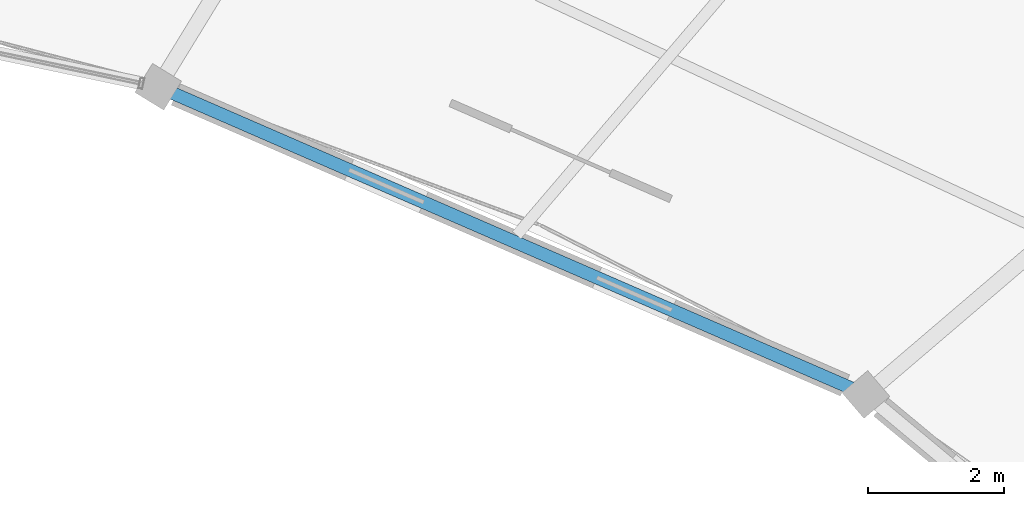
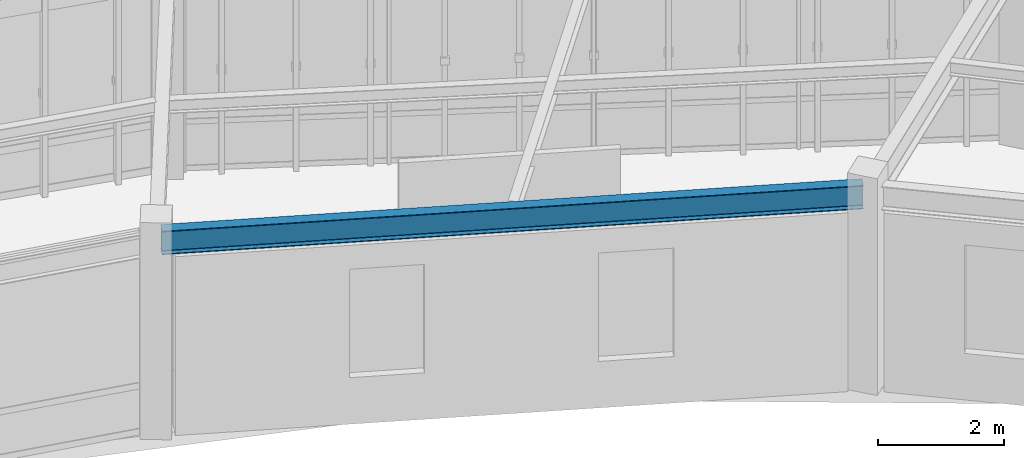
# One storey, part 53 of 78: 1 beam.
"""IFC4 building model written with IfcOpenShell, lengths in metres."""

import ifcopenshell
import ifcopenshell.guid

model = None  # the IFC model being written
_history = None  # IfcOwnerHistory: only IFC2X3 demands one
_inside = {}  # id of a spatial element -> (the spatial element, [elements in it])
_under = {}  # id of a project, library or spatial element -> (it, [spatial elements below it])
_declared = {}  # id of a project -> (the project, [libraries it declares])
_typed = {}  # id of a type object -> (the type object, [elements of that type])
_made_of = {}  # id of a material, layer set ... -> (it, [elements and type objects made of it])


def new_model(schema):
    """Start an empty IFC model of exactly this schema.

    Asked for "IFC4X3", IfcOpenShell would pick the latest addendum, in which some entities
    have other attributes; the version numbers below select the first issue.
    IFC2X3 requires an IfcOwnerHistory on every rooted entity: one is made here for all.
    """
    global model, _history
    if schema == "IFC4X3":
        model = ifcopenshell.file(schema_version=(4, 3, 0, 0))
    else:
        model = ifcopenshell.file(schema=schema)
    _inside.clear()
    _under.clear()
    _declared.clear()
    _typed.clear()
    _made_of.clear()
    _history = None
    if model.schema == "IFC2X3":
        org = make("IfcOrganization", Name="unknown")
        user = make(
            "IfcPersonAndOrganization",
            ThePerson=make("IfcPerson", FamilyName="unknown"),
            TheOrganization=org,
        )
        app = make(
            "IfcApplication",
            ApplicationDeveloper=org,
            Version="unknown",
            ApplicationFullName="unknown",
            ApplicationIdentifier="unknown",
        )
        _history = make(
            "IfcOwnerHistory",
            OwningUser=user,
            OwningApplication=app,
            ChangeAction="ADDED",
            CreationDate=0,
        )
    return model


def make(cls, **values):
    """One entity of the class cls with the attributes given. An attribute that is None is left unset."""
    return model.create_entity(
        cls, **{name: value for name, value in values.items() if value is not None}
    )


def rooted(cls, **values):
    """An entity with a GlobalId (a new one), such as an element, a storey or a relation."""
    return make(cls, GlobalId=ifcopenshell.guid.new(), OwnerHistory=_history, **values)


def si_unit(unit_type, name, prefix=None):
    """IfcSIUnit, for example si_unit("LENGTHUNIT", "METRE", prefix="MILLI")."""
    return make("IfcSIUnit", UnitType=unit_type, Prefix=prefix, Name=name)


def assignment(units):
    """IfcUnitAssignment: the units of a project."""
    return None if units is None else make("IfcUnitAssignment", Units=units)


def point(xyz):
    """IfcCartesianPoint."""
    return None if xyz is None else make("IfcCartesianPoint", Coordinates=xyz)


def direction(xyz):
    """IfcDirection."""
    return None if xyz is None else make("IfcDirection", DirectionRatios=xyz)


def frame(location, z_axis=None, x_axis=None):
    """IfcAxis2Placement3D, a coordinate frame: its origin and axes. An axis left out is left unset."""
    return make(
        "IfcAxis2Placement3D",
        Location=point(location),
        Axis=direction(z_axis),
        RefDirection=direction(x_axis),
    )


def frame_2d(location, x_axis=None):
    """IfcAxis2Placement2D, a coordinate frame in the plane: its origin and x axis."""
    return make(
        "IfcAxis2Placement2D", Location=point(location), RefDirection=direction(x_axis)
    )


def origin():
    """The frame at (0, 0, 0) with its axes left unset."""
    return frame((0.0, 0.0, 0.0))


def origin_2d():
    """The frame at (0, 0) in the plane with its x axis left unset."""
    return frame_2d((0.0, 0.0))


def place(relative_to, where):
    """IfcLocalPlacement: puts the frame where relative to a parent placement (None: the world)."""
    return make(
        "IfcLocalPlacement", PlacementRelTo=relative_to, RelativePlacement=where
    )


def context(
    kind, dimensions, precision=None, world=None, true_north=None, identifier=None
):
    """IfcGeometricRepresentationContext, for example the 3D "Model" context."""
    return make(
        "IfcGeometricRepresentationContext",
        ContextIdentifier=identifier,
        ContextType=kind,
        CoordinateSpaceDimension=dimensions,
        Precision=precision,
        WorldCoordinateSystem=world,
        TrueNorth=true_north,
    )


def subcontext(parent, identifier, kind, view, scale=None):
    """IfcGeometricRepresentationSubContext, for example "Body" below "Model"."""
    return make(
        "IfcGeometricRepresentationSubContext",
        ContextIdentifier=identifier,
        ContextType=kind,
        ParentContext=parent,
        TargetScale=scale,
        TargetView=view,
    )


def project(units=None, contexts=None):
    """IfcProject with its units and contexts."""
    return rooted(
        "IfcProject",
        Name="project",
        RepresentationContexts=contexts,
        UnitsInContext=assignment(units),
    )


def spatial(cls, under=None, at=None, **own):
    """A site, building, storey or space (cls), placed at a placement, below another one or the project."""
    s = rooted(cls, ObjectPlacement=at, **own)
    if under is not None:
        _under.setdefault(under.id(), (under, []))[1].append(s)
    return s


def profile(cls, at=None, kind="AREA", **sizes):
    """A parametric profile (cls). Its sizes go by their IFC names, for example OverallWidth=200.0."""
    return make(cls, ProfileType=kind, Position=at, **sizes)


def i_section(**sizes):
    """IfcIShapeProfileDef."""
    return profile("IfcIShapeProfileDef", **sizes)


def extrude(swept, where, along, depth):
    """IfcExtrudedAreaSolid: the profile swept, set in the frame where, extruded along a direction by depth."""
    return make(
        "IfcExtrudedAreaSolid",
        SweptArea=swept,
        Position=where,
        ExtrudedDirection=direction(along),
        Depth=depth,
    )


def shape(context_of_items, identifier, shape_type, items):
    """IfcShapeRepresentation: the items that make up one representation, for example the "Body"."""
    return make(
        "IfcShapeRepresentation",
        ContextOfItems=context_of_items,
        RepresentationIdentifier=identifier,
        RepresentationType=shape_type,
        Items=items,
    )


def material(Name=None, Category=None):
    """IfcMaterial."""
    return make("IfcMaterial", Name=Name, Category=Category)


def material_profile(
    of_material, cross_section, Name=None, Category=None, Priority=None
):
    """IfcMaterialProfile: a cross section and its material."""
    return make(
        "IfcMaterialProfile",
        Name=Name,
        Material=of_material,
        Profile=cross_section,
        Priority=Priority,
        Category=Category,
    )


def profile_set(profiles, Name=None, composite=None):
    """IfcMaterialProfileSet."""
    return make(
        "IfcMaterialProfileSet",
        Name=Name,
        MaterialProfiles=profiles,
        CompositeProfile=composite,
    )


def made_of(thing, what):
    """Note that an element or type object is made of a material, layer set ...; save() writes the relation."""
    if what is not None:
        _made_of.setdefault(what.id(), (what, []))[1].append(thing)
    return thing


def type_object(cls, material=None, **own):
    """A type object (cls), such as IfcWallType, which elements share."""
    return made_of(rooted(cls, **own), material)


def element(
    cls,
    number,
    at=None,
    inside=None,
    cuts=None,
    type_object=None,
    material=None,
    context=None,
    identifier="Body",
    shape_type=None,
    held_by="IfcProductDefinitionShape",
    body=None,
    shapes=None,
    **own,
):
    """One element of the class cls, such as IfcWall. Its Tag is "e" and its number.

    at: its placement. inside: the storey or other place that contains it. cuts: it is an
    opening in that element (IfcRelVoidsElement). A single representation is given by context,
    identifier, shape_type and body (its items); several are given by shapes. held_by: the class
    of the entity that holds the representations. save() writes the other relations.
    """
    e = rooted(cls, Tag="e%d" % number, ObjectPlacement=at, **own)
    if body is not None:
        shapes = [shape(context, identifier, shape_type, body)]
    if shapes is not None:
        e.Representation = make(held_by, Representations=shapes)
    if inside is not None:
        _inside.setdefault(inside.id(), (inside, []))[1].append(e)
    if cuts is not None:
        rooted(
            "IfcRelVoidsElement", RelatingBuildingElement=cuts, RelatedOpeningElement=e
        )
    if type_object is not None:
        _typed.setdefault(type_object.id(), (type_object, []))[1].append(e)
    return made_of(e, material)


def aggregate(whole, parts):
    """IfcRelAggregates: a whole, such as a stair, and the parts it consists of."""
    return rooted("IfcRelAggregates", RelatingObject=whole, RelatedObjects=parts)


def save(model, path):
    """Write the relations noted so far, then the file.

    IfcRelAggregates (storeys below a building ...), IfcRelContainedInSpatialStructure (elements
    in a storey), IfcRelDefinesByType, IfcRelAssociatesMaterial and IfcRelDeclares: one each for
    every whole, place, type object, material and project.
    """
    for whole, parts in _under.values():
        aggregate(whole, parts)
    for where, things in _inside.values():
        rooted(
            "IfcRelContainedInSpatialStructure",
            RelatedElements=things,
            RelatingStructure=where,
        )
    for kind, things in _typed.values():
        rooted("IfcRelDefinesByType", RelatedObjects=things, RelatingType=kind)
    for what, things in _made_of.values():
        rooted("IfcRelAssociatesMaterial", RelatedObjects=things, RelatingMaterial=what)
    for by, libraries in _declared.values():
        rooted("IfcRelDeclares", RelatingContext=by, RelatedDefinitions=libraries)
    model.write(path)


model = new_model("IFC4")

# Units and contexts
model_context = context("Model", 3, precision=1e-05, world=origin(), true_north=direction((0.0, 1.0)))
body_context = subcontext(model_context, "Body", "Model", "MODEL_VIEW")
ifc_project = project(units=[si_unit("LENGTHUNIT", "METRE"), si_unit("AREAUNIT", "SQUARE_METRE"), si_unit("VOLUMEUNIT", "CUBIC_METRE"), si_unit("PLANEANGLEUNIT", "RADIAN"), si_unit("MASSUNIT", "GRAM", prefix="KILO"), si_unit("THERMODYNAMICTEMPERATUREUNIT", "KELVIN"), si_unit("POWERUNIT", "WATT")], contexts=[model_context])

# Site, building, storey
site_placement = place(None, origin())
site = spatial("IfcSite", under=ifc_project, at=site_placement, CompositionType="ELEMENT")
building_placement = place(site_placement, origin())
building = spatial("IfcBuilding", under=site, at=building_placement, Name="Darbajah Civic Hall", CompositionType="ELEMENT")
storey_placement = place(building_placement, frame((0.0, 0.0, 26.39990234375)))
storey = spatial("IfcBuildingStorey", under=building, at=storey_placement, Name="L06", CompositionType="ELEMENT", Elevation=26.39990234375)

# Beam
ifc_material = material(Name="Steel S355JR", Category="steel")
ifc_material_profile = material_profile(ifc_material, i_section(OverallWidth=0.1904296875, OverallDepth=0.45703125, WebThickness=0.009033203125, FlangeThickness=0.014404296875, FilletRadius=0.01025390625, at=origin_2d()), Name="UB 457x191x74")
ifc_profile_set = profile_set([ifc_material_profile], Name="Steel S355JR")
beam_type = type_object("IfcBeamType", Name="UB 457x191x74", PredefinedType="BEAM", material=ifc_profile_set)
beam_placement = place(storey_placement, frame((122.33251953125, 104.314697265625, 3.691650390625), z_axis=(-0.91705481115, 0.398761173319, 0.0), x_axis=(-0.398761173319, -0.91705481115, 0.0)))
element("IfcBeam", 1, at=beam_placement, inside=storey, type_object=beam_type, Name="L06 beam SB-457", PredefinedType="BEAM", context=body_context, shape_type="SweptSolid", body=[
    extrude(i_section(OverallWidth=0.1904296875, OverallDepth=0.45703125, WebThickness=0.009033203125, FlangeThickness=0.014404296875, FilletRadius=0.01025390625, at=origin_2d()), origin(), (0.0, 0.0, 1.0), 11.202880859375),
])

save(model, "model.ifc")
